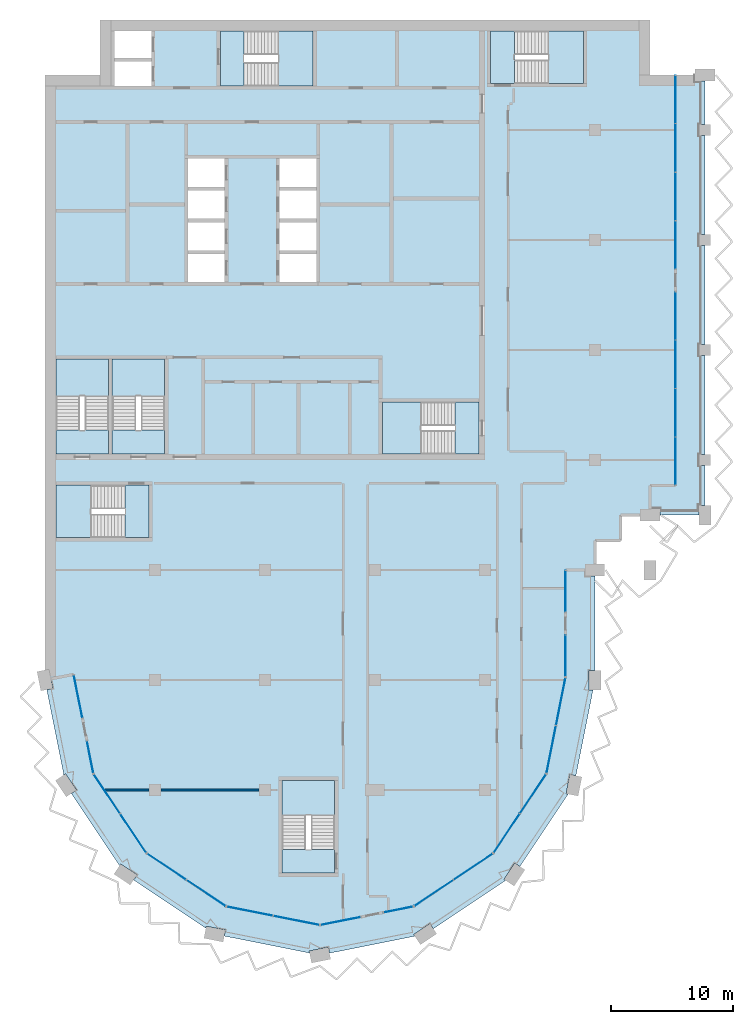
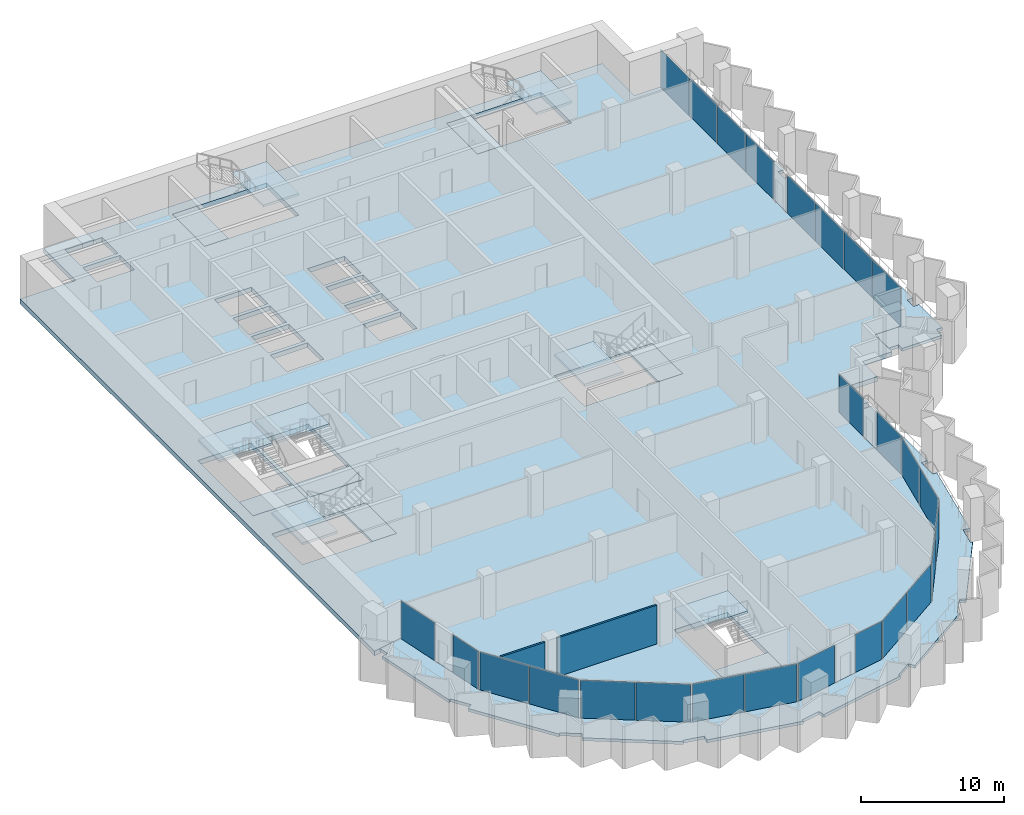
# One storey, part 5 of 15: 26 plates, 17 slabs, 2 walls, 21 elements without a shape of their own.
"""IFC4 building model written with IfcOpenShell, lengths in metres."""

from ifc_helpers import new_model, si_unit, direction, frame, frame_2d, origin, origin_2d, place, context, subcontext, project, spatial, polyline, rectangle, outline, extrude, material, layer, layer_set, type_object, element, aggregate, save


model = new_model("IFC4")

# Units and contexts
model_context = context("Model", 3, precision=1e-05, world=origin(), true_north=direction((0.0, 1.0)))
body_context = subcontext(model_context, "Body", "Model", "MODEL_VIEW")
ifc_project = project(units=[si_unit("LENGTHUNIT", "METRE"), si_unit("AREAUNIT", "SQUARE_METRE"), si_unit("VOLUMEUNIT", "CUBIC_METRE"), si_unit("PLANEANGLEUNIT", "RADIAN"), si_unit("MASSUNIT", "GRAM", prefix="KILO")], contexts=[model_context])

# Site, building, storey
site_placement = place(None, origin())
site = spatial("IfcSite", under=ifc_project, at=site_placement, CompositionType="ELEMENT")
building_placement = place(site_placement, origin())
building = spatial("IfcBuilding", under=site, at=building_placement, Name="Hunhe Ridgeline Campus", CompositionType="ELEMENT")
storey_placement = place(building_placement, frame((0.0, 0.0, 231.800048828125)))
storey = spatial("IfcBuildingStorey", under=building, at=storey_placement, Name="L59", CompositionType="ELEMENT", Elevation=231.800048828125)

# Curtain wall, plate
ifc_material_1 = material(Name="Aluminium 6063", Category="aluminium")
curtain_wall_type_1 = type_object("IfcCurtainWallType", Name="Curtain wall CW-5", PredefinedType="NOTDEFINED", material=ifc_material_1)
curtain_wall_1_placement = place(storey_placement, origin())
curtain_wall_1 = element("IfcCurtainWall", 1, at=curtain_wall_1_placement, inside=storey, type_object=curtain_wall_type_1, Name="Curtain wall 01", PredefinedType="NOTDEFINED")
ifc_material_2 = material(Name="Low-e laminated glass", Category="glass")
ifc_layer_1 = layer(ifc_material_2, 0.028076171875)
ifc_layer_set_1 = layer_set([ifc_layer_1], Name="Curtain wall glass panel 28 low-e laminated")
plate_type = type_object("IfcPlateType", Name="Curtain wall glass panel 28 low-e laminated", PredefinedType="CURTAIN_PANEL", material=ifc_layer_set_1)
plate_1_placement = place(storey_placement, frame((2.7158203125, 43.65380859375, 0.0), z_axis=(0.0, 0.0, 1.0), x_axis=(0.195095326561, -0.980784284924, 0.0)))
plate_1 = element("IfcPlate", 2, at=plate_1_placement, type_object=plate_type, Name="CW-5 panel 1", PredefinedType="CURTAIN_PANEL", context=body_context, shape_type="SweptSolid", body=[
    extrude(rectangle(XDim=3.560791015625, YDim=0.028076171875, at=origin_2d()), origin(), (0.0, 0.0, 1.0), 3.22998046875),
])
aggregate(curtain_wall_1, [plate_1])

curtain_wall_2_placement = place(storey_placement, origin())
curtain_wall_2 = element("IfcCurtainWall", 3, at=curtain_wall_2_placement, inside=storey, type_object=curtain_wall_type_1, Name="Curtain wall 02", PredefinedType="NOTDEFINED")
plate_2_placement = place(storey_placement, frame((3.701171875, 38.699951171875, 0.0), z_axis=(0.0, 0.0, 1.0), x_axis=(0.195095265587, -0.980784297053, 0.0)))
plate_2 = element("IfcPlate", 4, at=plate_2_placement, type_object=plate_type, Name="CW-5 panel 1", PredefinedType="CURTAIN_PANEL", context=body_context, shape_type="SweptSolid", body=[
    extrude(rectangle(XDim=2.660888671875, YDim=0.028076171875, at=origin_2d()), origin(), (0.0, 0.0, 1.0), 3.22998046875),
])
aggregate(curtain_wall_2, [plate_2])

# Curtain wall, plates
curtain_wall_3_placement = place(storey_placement, origin())
curtain_wall_3 = element("IfcCurtainWall", 5, at=curtain_wall_3_placement, inside=storey, type_object=curtain_wall_type_1, Name="Curtain wall 03", PredefinedType="NOTDEFINED")
plate_3_placement = place(storey_placement, frame((5.07080078125, 35.685546875, 0.0), z_axis=(0.0, 0.0, 1.0), x_axis=(0.555570274596, -0.831469584522, 0.0)))
plate_3 = element("IfcPlate", 6, at=plate_3_placement, type_object=plate_type, Name="CW-5 panel 1", PredefinedType="CURTAIN_PANEL", context=body_context, shape_type="SweptSolid", body=[
    extrude(rectangle(XDim=3.806884765625, YDim=0.028076171875, at=origin_2d()), origin(), (0.0, 0.0, 1.0), 3.22998046875),
])
plate_4_placement = place(storey_placement, frame((7.224609375, 32.4619140625, 0.0), z_axis=(0.0, 0.0, 1.0), x_axis=(0.555570274596, -0.831469584522, 0.0)))
plate_4 = element("IfcPlate", 7, at=plate_4_placement, type_object=plate_type, Name="CW-5 panel 2", PredefinedType="CURTAIN_PANEL", context=body_context, shape_type="SweptSolid", body=[
    extrude(rectangle(XDim=3.806884765625, YDim=0.028076171875, at=origin_2d()), origin(), (0.0, 0.0, 1.0), 3.22998046875),
])
aggregate(curtain_wall_3, [plate_3, plate_4])

curtain_wall_4_placement = place(storey_placement, origin())
curtain_wall_4 = element("IfcCurtainWall", 8, at=curtain_wall_4_placement, inside=storey, type_object=curtain_wall_type_1, Name="Curtain wall 04", PredefinedType="NOTDEFINED")
plate_5_placement = place(storey_placement, frame((9.9619140625, 29.724609375, 0.0), z_axis=(0.0, 0.0, 1.0), x_axis=(0.831469584522, -0.555570274596, 0.0)))
plate_5 = element("IfcPlate", 9, at=plate_5_placement, type_object=plate_type, Name="CW-5 panel 1", PredefinedType="CURTAIN_PANEL", context=body_context, shape_type="SweptSolid", body=[
    extrude(rectangle(XDim=3.806884765625, YDim=0.028076171875, at=origin_2d()), origin(), (0.0, 0.0, 1.0), 3.22998046875),
])
plate_6_placement = place(storey_placement, frame((13.185546875, 27.57080078125, 0.0), z_axis=(0.0, 0.0, 1.0), x_axis=(0.831469584522, -0.555570274596, 0.0)))
plate_6 = element("IfcPlate", 10, at=plate_6_placement, type_object=plate_type, Name="CW-5 panel 2", PredefinedType="CURTAIN_PANEL", context=body_context, shape_type="SweptSolid", body=[
    extrude(rectangle(XDim=3.806884765625, YDim=0.028076171875, at=origin_2d()), origin(), (0.0, 0.0, 1.0), 3.22998046875),
])
aggregate(curtain_wall_4, [plate_5, plate_6])

curtain_wall_5_placement = place(storey_placement, origin())
curtain_wall_5 = element("IfcCurtainWall", 11, at=curtain_wall_5_placement, inside=storey, type_object=curtain_wall_type_1, Name="Curtain wall 05", PredefinedType="NOTDEFINED")
plate_7_placement = place(storey_placement, frame((16.761962890625, 26.08935546875, 0.0), z_axis=(0.0, 0.0, 1.0), x_axis=(0.980785275326, -0.195090347539, 0.0)))
plate_7 = element("IfcPlate", 12, at=plate_7_placement, type_object=plate_type, Name="CW-5 panel 1", PredefinedType="CURTAIN_PANEL", context=body_context, shape_type="SweptSolid", body=[
    extrude(rectangle(XDim=3.806884765625, YDim=0.028076171875, at=origin_2d()), origin(), (0.0, 0.0, 1.0), 3.22998046875),
])
plate_8_placement = place(storey_placement, frame((20.564453125, 25.3330078125, 0.0), z_axis=(0.0, 0.0, 1.0), x_axis=(0.980785275326, -0.195090347539, 0.0)))
plate_8 = element("IfcPlate", 13, at=plate_8_placement, type_object=plate_type, Name="CW-5 panel 2", PredefinedType="CURTAIN_PANEL", context=body_context, shape_type="SweptSolid", body=[
    extrude(rectangle(XDim=3.806884765625, YDim=0.028076171875, at=origin_2d()), origin(), (0.0, 0.0, 1.0), 3.22998046875),
])
aggregate(curtain_wall_5, [plate_7, plate_8])

# Curtain wall, plate
curtain_wall_6_placement = place(storey_placement, origin())
curtain_wall_6 = element("IfcCurtainWall", 14, at=curtain_wall_6_placement, inside=storey, type_object=curtain_wall_type_1, Name="Curtain wall 06", PredefinedType="NOTDEFINED")
plate_9_placement = place(storey_placement, frame((24.19775390625, 25.28564453125, 0.0), z_axis=(0.0, 0.0, 1.0), x_axis=(0.980785270791, 0.19509037034, 0.0)))
plate_9 = element("IfcPlate", 15, at=plate_9_placement, type_object=plate_type, Name="CW-5 panel 1", PredefinedType="CURTAIN_PANEL", context=body_context, shape_type="SweptSolid", body=[
    extrude(rectangle(XDim=3.322021484375, YDim=0.028076171875, at=origin_2d()), origin(), (0.0, 0.0, 1.0), 3.22998046875),
])
aggregate(curtain_wall_6, [plate_9])

curtain_wall_7_placement = place(storey_placement, origin())
curtain_wall_7 = element("IfcCurtainWall", 16, at=curtain_wall_7_placement, inside=storey, type_object=curtain_wall_type_1, Name="Curtain wall 07", PredefinedType="NOTDEFINED")
plate_10_placement = place(storey_placement, frame((28.917236328125, 26.224609375, 0.0), z_axis=(0.0, 0.0, 1.0), x_axis=(0.980785242091, 0.195090514627, 0.0)))
plate_10 = element("IfcPlate", 17, at=plate_10_placement, type_object=plate_type, Name="CW-5 panel 1", PredefinedType="CURTAIN_PANEL", context=body_context, shape_type="SweptSolid", body=[
    extrude(rectangle(XDim=2.421875, YDim=0.028076171875, at=origin_2d()), origin(), (0.0, 0.0, 1.0), 3.22998046875),
])
aggregate(curtain_wall_7, [plate_10])

# Curtain wall, plates
curtain_wall_8_placement = place(storey_placement, origin())
curtain_wall_8 = element("IfcCurtainWall", 18, at=curtain_wall_8_placement, inside=storey, type_object=curtain_wall_type_1, Name="Curtain wall 08", PredefinedType="NOTDEFINED")
plate_11_placement = place(storey_placement, frame((31.814453125, 27.57080078125, 0.0), z_axis=(0.0, 0.0, 1.0), x_axis=(0.831469584522, 0.555570274596, 0.0)))
plate_11 = element("IfcPlate", 19, at=plate_11_placement, type_object=plate_type, Name="CW-5 panel 1", PredefinedType="CURTAIN_PANEL", context=body_context, shape_type="SweptSolid", body=[
    extrude(rectangle(XDim=3.806884765625, YDim=0.028076171875, at=origin_2d()), origin(), (0.0, 0.0, 1.0), 3.22998046875),
])
plate_12_placement = place(storey_placement, frame((35.0380859375, 29.724609375, 0.0), z_axis=(0.0, 0.0, 1.0), x_axis=(0.831469584522, 0.555570274596, 0.0)))
plate_12 = element("IfcPlate", 20, at=plate_12_placement, type_object=plate_type, Name="CW-5 panel 2", PredefinedType="CURTAIN_PANEL", context=body_context, shape_type="SweptSolid", body=[
    extrude(rectangle(XDim=3.806884765625, YDim=0.028076171875, at=origin_2d()), origin(), (0.0, 0.0, 1.0), 3.22998046875),
])
aggregate(curtain_wall_8, [plate_11, plate_12])

curtain_wall_9_placement = place(storey_placement, origin())
curtain_wall_9 = element("IfcCurtainWall", 21, at=curtain_wall_9_placement, inside=storey, type_object=curtain_wall_type_1, Name="Curtain wall 09", PredefinedType="NOTDEFINED")
plate_13_placement = place(storey_placement, frame((37.775390625, 32.4619140625, 0.0), z_axis=(0.0, 0.0, 1.0), x_axis=(0.555570274596, 0.831469584522, 0.0)))
plate_13 = element("IfcPlate", 22, at=plate_13_placement, type_object=plate_type, Name="CW-5 panel 1", PredefinedType="CURTAIN_PANEL", context=body_context, shape_type="SweptSolid", body=[
    extrude(rectangle(XDim=3.806884765625, YDim=0.028076171875, at=origin_2d()), origin(), (0.0, 0.0, 1.0), 3.22998046875),
])
plate_14_placement = place(storey_placement, frame((39.92919921875, 35.685546875, 0.0), z_axis=(0.0, 0.0, 1.0), x_axis=(0.555570274596, 0.831469584522, 0.0)))
plate_14 = element("IfcPlate", 23, at=plate_14_placement, type_object=plate_type, Name="CW-5 panel 2", PredefinedType="CURTAIN_PANEL", context=body_context, shape_type="SweptSolid", body=[
    extrude(rectangle(XDim=3.806884765625, YDim=0.028076171875, at=origin_2d()), origin(), (0.0, 0.0, 1.0), 3.22998046875),
])
aggregate(curtain_wall_9, [plate_13, plate_14])

curtain_wall_10_placement = place(storey_placement, origin())
curtain_wall_10 = element("IfcCurtainWall", 24, at=curtain_wall_10_placement, inside=storey, type_object=curtain_wall_type_1, Name="Curtain wall 10", PredefinedType="NOTDEFINED")
plate_15_placement = place(storey_placement, frame((41.42236328125, 39.321044921875, 0.0), z_axis=(0.0, 0.0, 1.0), x_axis=(0.195090299215, 0.980785284939, 0.0)))
plate_15 = element("IfcPlate", 25, at=plate_15_placement, type_object=plate_type, Name="CW-5 panel 1", PredefinedType="CURTAIN_PANEL", context=body_context, shape_type="SweptSolid", body=[
    extrude(rectangle(XDim=3.927490234375, YDim=0.028076171875, at=origin_2d()), origin(), (0.0, 0.0, 1.0), 3.22998046875),
])
plate_16_placement = place(storey_placement, frame((42.2021484375, 43.24169921875, 0.0), z_axis=(0.0, 0.0, 1.0), x_axis=(0.195090299215, 0.980785284939, 0.0)))
plate_16 = element("IfcPlate", 26, at=plate_16_placement, type_object=plate_type, Name="CW-5 panel 2", PredefinedType="CURTAIN_PANEL", context=body_context, shape_type="SweptSolid", body=[
    extrude(rectangle(XDim=3.927490234375, YDim=0.028076171875, at=origin_2d()), origin(), (0.0, 0.0, 1.0), 3.22998046875),
])
aggregate(curtain_wall_10, [plate_15, plate_16])

# Curtain wall, plate
curtain_wall_type_2 = type_object("IfcCurtainWallType", Name="Curtain wall CW-1", PredefinedType="NOTDEFINED", material=ifc_material_1)
curtain_wall_11_placement = place(storey_placement, origin())
curtain_wall_11 = element("IfcCurtainWall", 27, at=curtain_wall_11_placement, inside=storey, type_object=curtain_wall_type_2, Name="Curtain wall 11", PredefinedType="NOTDEFINED")
plate_17_placement = place(storey_placement, frame((42.59912109375, 46.9775390625, 0.0), z_axis=(0.0, 0.0, 1.0), x_axis=(1.9241592e-05, 0.999999999815, 0.0)))
plate_17 = element("IfcPlate", 28, at=plate_17_placement, type_object=plate_type, Name="CW-1 panel 1", PredefinedType="CURTAIN_PANEL", context=body_context, shape_type="SweptSolid", body=[
    extrude(rectangle(XDim=3.362060546875, YDim=0.028076171875, at=origin_2d()), origin(), (0.0, 0.0, 1.0), 3.239990234375),
])
aggregate(curtain_wall_11, [plate_17])

curtain_wall_12_placement = place(storey_placement, origin())
curtain_wall_12 = element("IfcCurtainWall", 29, at=curtain_wall_12_placement, inside=storey, type_object=curtain_wall_type_2, Name="Curtain wall 12", PredefinedType="NOTDEFINED")
plate_18_placement = place(storey_placement, frame((42.59912109375, 52.259521484375, 0.0), z_axis=(0.0, 0.0, 1.0), x_axis=(1.9241592e-05, 0.999999999815, 0.0)))
plate_18 = element("IfcPlate", 30, at=plate_18_placement, type_object=plate_type, Name="CW-1 panel 1", PredefinedType="CURTAIN_PANEL", context=body_context, shape_type="SweptSolid", body=[
    extrude(rectangle(XDim=3.362060546875, YDim=0.028076171875, at=origin_2d()), origin(), (0.0, 0.0, 1.0), 3.239990234375),
])
aggregate(curtain_wall_12, [plate_18])

# Curtain wall, plates
curtain_wall_13_placement = place(storey_placement, origin())
curtain_wall_13 = element("IfcCurtainWall", 31, at=curtain_wall_13_placement, inside=storey, type_object=curtain_wall_type_2, Name="Curtain wall 13", PredefinedType="NOTDEFINED")
plate_19_placement = place(storey_placement, frame((51.59912109375, 62.9033203125, 0.0), z_axis=(0.0, 0.0, 1.0), x_axis=(0.0, 1.0, 0.0)))
plate_19 = element("IfcPlate", 32, at=plate_19_placement, type_object=plate_type, Name="CW-1 panel 1", PredefinedType="CURTAIN_PANEL", context=body_context, shape_type="SweptSolid", body=[
    extrude(rectangle(XDim=3.884765625, YDim=0.028076171875, at=origin_2d()), origin(), (0.0, 0.0, 1.0), 3.239990234375),
])
plate_20_placement = place(storey_placement, frame((51.59912109375, 66.86328125, 0.0), z_axis=(0.0, 0.0, 1.0), x_axis=(0.0, 1.0, 0.0)))
plate_20 = element("IfcPlate", 33, at=plate_20_placement, type_object=plate_type, Name="CW-1 panel 2", PredefinedType="CURTAIN_PANEL", context=body_context, shape_type="SweptSolid", body=[
    extrude(rectangle(XDim=3.914794921875, YDim=0.028076171875, at=origin_2d()), origin(), (0.0, 0.0, 1.0), 3.239990234375),
])
plate_21_placement = place(storey_placement, frame((51.59912109375, 70.838134765625, 0.0), z_axis=(0.0, 0.0, 1.0), x_axis=(0.0, 1.0, 0.0)))
plate_21 = element("IfcPlate", 34, at=plate_21_placement, type_object=plate_type, Name="CW-1 panel 3", PredefinedType="CURTAIN_PANEL", context=body_context, shape_type="SweptSolid", body=[
    extrude(rectangle(XDim=3.914794921875, YDim=0.028076171875, at=origin_2d()), origin(), (0.0, 0.0, 1.0), 3.239990234375),
])
plate_22_placement = place(storey_placement, frame((51.59912109375, 74.798095703125, 0.0), z_axis=(0.0, 0.0, 1.0), x_axis=(0.0, 1.0, 0.0)))
plate_22 = element("IfcPlate", 35, at=plate_22_placement, type_object=plate_type, Name="CW-1 panel 4", PredefinedType="CURTAIN_PANEL", context=body_context, shape_type="SweptSolid", body=[
    extrude(rectangle(XDim=3.884765625, YDim=0.028076171875, at=origin_2d()), origin(), (0.0, 0.0, 1.0), 3.239990234375),
])
aggregate(curtain_wall_13, [plate_19, plate_20, plate_21, plate_22])

curtain_wall_14_placement = place(storey_placement, origin())
curtain_wall_14 = element("IfcCurtainWall", 36, at=curtain_wall_14_placement, inside=storey, type_object=curtain_wall_type_2, Name="Curtain wall 14", PredefinedType="NOTDEFINED")
plate_23_placement = place(storey_placement, frame((51.59912109375, 80.60302734375, 0.0), z_axis=(0.0, 0.0, 1.0), x_axis=(0.0, 1.0, 0.0)))
plate_23 = element("IfcPlate", 37, at=plate_23_placement, type_object=plate_type, Name="CW-1 panel 1", PredefinedType="CURTAIN_PANEL", context=body_context, shape_type="SweptSolid", body=[
    extrude(rectangle(XDim=3.884765625, YDim=0.028076171875, at=origin_2d()), origin(), (0.0, 0.0, 1.0), 3.239990234375),
])
plate_24_placement = place(storey_placement, frame((51.59912109375, 84.562744140625, 0.0), z_axis=(0.0, 0.0, 1.0), x_axis=(0.0, 1.0, 0.0)))
plate_24 = element("IfcPlate", 38, at=plate_24_placement, type_object=plate_type, Name="CW-1 panel 2", PredefinedType="CURTAIN_PANEL", context=body_context, shape_type="SweptSolid", body=[
    extrude(rectangle(XDim=3.914794921875, YDim=0.028076171875, at=origin_2d()), origin(), (0.0, 0.0, 1.0), 3.239990234375),
])
plate_25_placement = place(storey_placement, frame((51.59912109375, 88.53759765625, 0.0), z_axis=(0.0, 0.0, 1.0), x_axis=(0.0, 1.0, 0.0)))
plate_25 = element("IfcPlate", 39, at=plate_25_placement, type_object=plate_type, Name="CW-1 panel 3", PredefinedType="CURTAIN_PANEL", context=body_context, shape_type="SweptSolid", body=[
    extrude(rectangle(XDim=3.914794921875, YDim=0.028076171875, at=origin_2d()), origin(), (0.0, 0.0, 1.0), 3.239990234375),
])
plate_26_placement = place(storey_placement, frame((51.59912109375, 92.49755859375, 0.0), z_axis=(0.0, 0.0, 1.0), x_axis=(0.0, 1.0, 0.0)))
plate_26 = element("IfcPlate", 40, at=plate_26_placement, type_object=plate_type, Name="CW-1 panel 4", PredefinedType="CURTAIN_PANEL", context=body_context, shape_type="SweptSolid", body=[
    extrude(rectangle(XDim=3.884765625, YDim=0.028076171875, at=origin_2d()), origin(), (0.0, 0.0, 1.0), 3.239990234375),
])
aggregate(curtain_wall_14, [plate_23, plate_24, plate_25, plate_26])

# Slabs
ifc_material_3 = material(Name="Concrete C40", Category="concrete")
ifc_layer_2 = layer(ifc_material_3, 0.39990234375)
ifc_layer_set_2 = layer_set([ifc_layer_2], Name="Floor slab 400 Concrete C40")
slab_type_1 = type_object("IfcSlabType", Name="Floor slab 400 Concrete C40", PredefinedType="FLOOR", material=ifc_layer_set_2)
slab_1_placement = place(storey_placement, frame((0.0, 0.0, -0.400146484375)))
element("IfcSlab", 41, at=slab_1_placement, inside=storey, type_object=slab_type_1, Name="Floor slab L59 1", PredefinedType="FLOOR", context=body_context, shape_type="SweptSolid", body=[
    extrude(outline(polyline([(36.678955078125, 30.821044921875), (41.025634765625, 37.326416015625), (42.59912109375, 45.236572265625), (42.59912109375, 54.00048828125), (44.9990234375, 54.0009765625), (44.999267578125, 56.400634765625), (47.09912109375, 56.40087890625), (47.099609375, 58.5009765625), (49.4990234375, 58.5009765625), (49.49951171875, 60.90087890625), (51.59912109375, 60.90087890625), (51.59912109375, 94.5), (49.5, 94.5), (49.5, 99.0), (4.5, 99.0), (4.5, 94.5), (0.0, 94.5), (0.0, 45.0009765625), (2.354736328125, 45.46875), (3.974365234375, 37.326416015625), (8.321044921875, 30.821044921875), (14.826416015625, 26.474365234375), (22.5, 24.947998046875), (30.173583984375, 26.474365234375), (36.678955078125, 30.821044921875)]), holes=[polyline([(36.449951171875, 98.10009765625), (36.449951171875, 93.800048828125), (44.050048828125, 93.800048828125), (44.050048828125, 98.10009765625), (36.449951171875, 98.10009765625)]), polyline([(27.60009765625, 63.5), (35.5, 63.5), (35.5, 67.75), (27.60009765625, 67.75), (27.60009765625, 63.5)]), polyline([(19.39990234375, 36.800048828125), (19.39990234375, 29.199951171875), (23.699951171875, 29.199951171875), (23.699951171875, 36.800048828125), (19.39990234375, 36.800048828125)]), polyline([(22.199951171875, 87.64990234375), (19.199951171875, 87.64990234375), (19.199951171875, 85.35009765625), (22.199951171875, 85.35009765625), (22.199951171875, 87.64990234375)]), polyline([(22.199951171875, 77.550048828125), (22.199951171875, 79.85009765625), (19.199951171875, 79.85009765625), (19.199951171875, 77.550048828125), (22.199951171875, 77.550048828125)]), polyline([(19.199951171875, 85.050048828125), (19.199951171875, 82.75), (22.199951171875, 82.75), (22.199951171875, 85.050048828125), (19.199951171875, 85.050048828125)]), polyline([(19.199951171875, 80.14990234375), (22.199951171875, 80.14990234375), (22.199951171875, 82.449951171875), (19.199951171875, 82.449951171875), (19.199951171875, 80.14990234375)]), polyline([(14.35009765625, 98.10009765625), (14.35009765625, 93.60009765625), (21.949951171875, 93.60009765625), (21.949951171875, 98.10009765625), (14.35009765625, 98.10009765625)]), polyline([(14.699951171875, 87.64990234375), (11.699951171875, 87.64990234375), (11.699951171875, 85.35009765625), (14.699951171875, 85.35009765625), (14.699951171875, 87.64990234375)]), polyline([(14.699951171875, 77.550048828125), (14.699951171875, 79.85009765625), (11.699951171875, 79.85009765625), (11.699951171875, 77.550048828125), (14.699951171875, 77.550048828125)]), polyline([(11.699951171875, 85.050048828125), (11.699951171875, 82.75), (14.699951171875, 82.75), (14.699951171875, 85.050048828125), (11.699951171875, 85.050048828125)]), polyline([(11.699951171875, 80.14990234375), (14.699951171875, 80.14990234375), (14.699951171875, 82.449951171875), (11.699951171875, 82.449951171875), (11.699951171875, 80.14990234375)]), polyline([(9.800048828125, 63.5), (9.800048828125, 71.25), (5.5, 71.25), (5.5, 63.5), (9.800048828125, 63.5)]), polyline([(8.699951171875, 93.60009765625), (8.699951171875, 95.60009765625), (5.699951171875, 95.60009765625), (5.699951171875, 93.60009765625), (8.699951171875, 93.60009765625)]), polyline([(5.699951171875, 95.89990234375), (8.699951171875, 95.89990234375), (8.699951171875, 98.10009765625), (5.699951171875, 98.10009765625), (5.699951171875, 95.89990234375)]), polyline([(0.89990234375, 60.949951171875), (0.89990234375, 56.64990234375), (8.5, 56.64990234375), (8.5, 60.949951171875), (0.89990234375, 60.949951171875)]), polyline([(5.199951171875, 71.25), (0.89990234375, 71.25), (0.89990234375, 63.5), (5.199951171875, 63.5), (5.199951171875, 71.25)])]), origin(), (0.0, 0.0, 1.0), 0.400146484375),
])
ifc_layer_3 = layer(ifc_material_3, 0.25)
ifc_layer_set_3 = layer_set([ifc_layer_3], Name="Loggia slab 250 Concrete C40")
slab_type_2 = type_object("IfcSlabType", Name="Loggia slab 250 Concrete C40", PredefinedType="FLOOR", material=ifc_layer_set_3)
slab_2_placement = place(storey_placement, frame((0.0, 0.0, -0.25)))
element("IfcSlab", 42, at=slab_2_placement, inside=storey, type_object=slab_type_2, Name="Loggia slab 1", PredefinedType="FLOOR", context=body_context, shape_type="SweptSolid", body=[
    extrude(outline(polyline([(30.173828125, 26.473388671875), (22.5, 24.947021484375), (14.826171875, 26.473388671875), (8.3203125, 30.8203125), (3.973388671875, 37.326171875), (2.35400390625, 45.46826171875), (0.490478515625, 45.09765625), (0.646484375, 44.31298828125), (0.156005859375, 44.21533203125), (1.543701171875, 37.239013671875), (1.68408203125, 37.33251953125), (2.572998046875, 36.002197265625), (2.1572265625, 35.724365234375), (6.109130859375, 29.81005859375), (6.20263671875, 29.9501953125), (7.532958984375, 29.061279296875), (7.25537109375, 28.645751953125), (13.169677734375, 24.69384765625), (13.20263671875, 24.859130859375), (14.771728515625, 24.547119140625), (14.67431640625, 24.056640625), (21.650634765625, 22.6689453125), (21.617919921875, 22.834228515625), (23.18701171875, 23.146484375), (23.28466796875, 22.656005859375), (30.260986328125, 24.043701171875), (30.16748046875, 24.18408203125), (31.497802734375, 25.072998046875), (31.775634765625, 24.6572265625), (37.68994140625, 28.609130859375), (37.5498046875, 28.70263671875), (38.438720703125, 30.032958984375), (38.854248046875, 29.75537109375), (42.80615234375, 35.669677734375), (42.640869140625, 35.70263671875), (42.952880859375, 37.271728515625), (43.443359375, 37.17431640625), (44.8408203125, 44.199951171875), (44.5, 44.199951171875), (44.5, 45.800048828125), (45.0, 45.800048828125), (45.0, 53.5), (44.199951171875, 53.5), (44.199951171875, 54.0), (42.60009765625, 54.0), (42.60009765625, 45.236328125), (41.026611328125, 37.326171875), (36.6796875, 30.8203125), (30.173828125, 26.473388671875)])), origin(), (0.0, 0.0, 1.0), 0.25),
])
slab_3_placement = place(storey_placement, frame((0.0, 0.0, -0.25)))
element("IfcSlab", 43, at=slab_3_placement, inside=storey, type_object=slab_type_2, Name="Loggia slab 2", PredefinedType="FLOOR", context=body_context, shape_type="SweptSolid", body=[
    extrude(outline(polyline([(49.5, 59.0), (50.300048828125, 59.0), (50.300048828125, 58.5), (53.5, 58.5), (53.5, 59.300048828125), (54.0, 59.300048828125), (54.0, 62.550048828125), (53.550048828125, 62.550048828125), (53.550048828125, 63.449951171875), (54.0, 63.449951171875), (54.0, 71.550048828125), (53.550048828125, 71.550048828125), (53.550048828125, 72.449951171875), (54.0, 72.449951171875), (54.0, 80.550048828125), (53.550048828125, 80.550048828125), (53.550048828125, 81.449951171875), (54.0, 81.449951171875), (54.0, 89.550048828125), (53.550048828125, 89.550048828125), (53.550048828125, 90.449951171875), (54.0, 90.449951171875), (54.0, 94.0), (53.199951171875, 94.0), (53.199951171875, 94.5), (51.60009765625, 94.5), (51.60009765625, 60.89990234375), (49.5, 60.89990234375), (49.5, 59.0)])), origin(), (0.0, 0.0, 1.0), 0.25),
])

# Stair, slab
stair_type = type_object("IfcStairType", Name="Reinforced concrete dog-leg stair 1950 Concrete C40", PredefinedType="HALF_TURN_STAIR", material=ifc_material_3)
stair_1_placement = place(storey_placement, origin())
stair_1 = element("IfcStair", 44, at=stair_1_placement, inside=storey, type_object=stair_type, Name="L59 S1", PredefinedType="HALF_TURN_STAIR")
ifc_layer_4 = layer(ifc_material_3, 0.199951171875)
ifc_layer_set_4 = layer_set([ifc_layer_4], Name="Reinforced concrete stair landing 200 Concrete C40")
slab_type_3 = type_object("IfcSlabType", Name="Reinforced concrete stair landing 200 Concrete C40", PredefinedType="LANDING", material=ifc_layer_set_4)
slab_4_placement = place(storey_placement, frame((0.0, 0.0, 1.64990234375)))
slab_4 = element("IfcSlab", 45, at=slab_4_placement, type_object=slab_type_3, Name="ST1 landing 1", PredefinedType="LANDING", context=body_context, shape_type="SweptSolid", body=[
    extrude(outline(polyline([(19.10009765625, 93.60009765625), (21.949951171875, 93.60009765625), (21.949951171875, 98.10009765625), (19.10009765625, 98.10009765625), (19.10009765625, 93.60009765625)])), origin(), (0.0, 0.0, 1.0), 0.199951171875),
])
aggregate(stair_1, [slab_4])

# Slab
slab_5_placement = place(storey_placement, frame((0.0, 0.0, -0.199951171875)))
element("IfcSlab", 46, at=slab_5_placement, inside=storey, type_object=slab_type_3, Name="L59 stair S1 floor landing", PredefinedType="LANDING", context=body_context, shape_type="SweptSolid", body=[
    extrude(outline(polyline([(14.35009765625, 93.60009765625), (16.300048828125, 93.60009765625), (16.300048828125, 98.10009765625), (14.35009765625, 98.10009765625), (14.35009765625, 93.60009765625)])), origin(), (0.0, 0.0, 1.0), 0.199951171875),
])

# Stair, slab
stair_2_placement = place(storey_placement, origin())
stair_2 = element("IfcStair", 47, at=stair_2_placement, inside=storey, type_object=stair_type, Name="L59 S2", PredefinedType="HALF_TURN_STAIR")
slab_6_placement = place(storey_placement, frame((0.0, 0.0, 1.64990234375)))
slab_6 = element("IfcSlab", 48, at=slab_6_placement, type_object=slab_type_3, Name="ST2 landing 1", PredefinedType="LANDING", context=body_context, shape_type="SweptSolid", body=[
    extrude(outline(polyline([(30.75, 67.75), (27.60009765625, 67.75), (27.60009765625, 63.5), (30.75, 63.5), (30.75, 67.75)])), origin(), (0.0, 0.0, 1.0), 0.199951171875),
])
aggregate(stair_2, [slab_6])

# Slab
slab_7_placement = place(storey_placement, frame((0.0, 0.0, -0.199951171875)))
element("IfcSlab", 49, at=slab_7_placement, inside=storey, type_object=slab_type_3, Name="L59 stair S2 floor landing", PredefinedType="LANDING", context=body_context, shape_type="SweptSolid", body=[
    extrude(outline(polyline([(35.5, 67.75), (33.550048828125, 67.75), (33.550048828125, 63.5), (35.5, 63.5), (35.5, 67.75)])), origin(), (0.0, 0.0, 1.0), 0.199951171875),
])

# Stair, slab
stair_3_placement = place(storey_placement, origin())
stair_3 = element("IfcStair", 50, at=stair_3_placement, inside=storey, type_object=stair_type, Name="L59 S3", PredefinedType="HALF_TURN_STAIR")
slab_8_placement = place(storey_placement, frame((0.0, 0.0, 1.64990234375)))
slab_8 = element("IfcSlab", 51, at=slab_8_placement, type_object=slab_type_3, Name="ST3 landing 1", PredefinedType="LANDING", context=body_context, shape_type="SweptSolid", body=[
    extrude(outline(polyline([(5.199951171875, 68.25), (5.199951171875, 71.25), (0.89990234375, 71.25), (0.89990234375, 68.25), (5.199951171875, 68.25)])), origin(), (0.0, 0.0, 1.0), 0.199951171875),
])
aggregate(stair_3, [slab_8])

# Slab
slab_9_placement = place(storey_placement, frame((0.0, 0.0, -0.199951171875)))
element("IfcSlab", 52, at=slab_9_placement, inside=storey, type_object=slab_type_3, Name="L59 stair S3 floor landing", PredefinedType="LANDING", context=body_context, shape_type="SweptSolid", body=[
    extrude(outline(polyline([(5.199951171875, 63.5), (5.199951171875, 65.449951171875), (0.89990234375, 65.449951171875), (0.89990234375, 63.5), (5.199951171875, 63.5)])), origin(), (0.0, 0.0, 1.0), 0.199951171875),
])

# Stair, slab
stair_4_placement = place(storey_placement, origin())
stair_4 = element("IfcStair", 53, at=stair_4_placement, inside=storey, type_object=stair_type, Name="L59 S4", PredefinedType="HALF_TURN_STAIR")
slab_10_placement = place(storey_placement, frame((0.0, 0.0, 1.64990234375)))
slab_10 = element("IfcSlab", 54, at=slab_10_placement, type_object=slab_type_3, Name="ST4 landing 1", PredefinedType="LANDING", context=body_context, shape_type="SweptSolid", body=[
    extrude(outline(polyline([(9.800048828125, 68.25), (9.800048828125, 71.25), (5.5, 71.25), (5.5, 68.25), (9.800048828125, 68.25)])), origin(), (0.0, 0.0, 1.0), 0.199951171875),
])
aggregate(stair_4, [slab_10])

# Slab
slab_11_placement = place(storey_placement, frame((0.0, 0.0, -0.199951171875)))
element("IfcSlab", 55, at=slab_11_placement, inside=storey, type_object=slab_type_3, Name="L59 stair S4 floor landing", PredefinedType="LANDING", context=body_context, shape_type="SweptSolid", body=[
    extrude(outline(polyline([(9.800048828125, 63.5), (9.800048828125, 65.449951171875), (5.5, 65.449951171875), (5.5, 63.5), (9.800048828125, 63.5)])), origin(), (0.0, 0.0, 1.0), 0.199951171875),
])

# Stair, slab
stair_5_placement = place(storey_placement, origin())
stair_5 = element("IfcStair", 56, at=stair_5_placement, inside=storey, type_object=stair_type, Name="L59 E1", PredefinedType="HALF_TURN_STAIR")
slab_12_placement = place(storey_placement, frame((0.0, 0.0, 1.64990234375)))
slab_12 = element("IfcSlab", 57, at=slab_12_placement, type_object=slab_type_3, Name="ST5 landing 1", PredefinedType="LANDING", context=body_context, shape_type="SweptSolid", body=[
    extrude(outline(polyline([(41.199951171875, 93.800048828125), (44.050048828125, 93.800048828125), (44.050048828125, 98.10009765625), (41.199951171875, 98.10009765625), (41.199951171875, 93.800048828125)])), origin(), (0.0, 0.0, 1.0), 0.199951171875),
])
aggregate(stair_5, [slab_12])

# Slab
slab_13_placement = place(storey_placement, frame((0.0, 0.0, -0.199951171875)))
element("IfcSlab", 58, at=slab_13_placement, inside=storey, type_object=slab_type_3, Name="L59 stair E1 floor landing", PredefinedType="LANDING", context=body_context, shape_type="SweptSolid", body=[
    extrude(outline(polyline([(36.449951171875, 93.800048828125), (38.39990234375, 93.800048828125), (38.39990234375, 98.10009765625), (36.449951171875, 98.10009765625), (36.449951171875, 93.800048828125)])), origin(), (0.0, 0.0, 1.0), 0.199951171875),
])

# Stair, slab
stair_6_placement = place(storey_placement, origin())
stair_6 = element("IfcStair", 59, at=stair_6_placement, inside=storey, type_object=stair_type, Name="L59 W3", PredefinedType="HALF_TURN_STAIR")
slab_14_placement = place(storey_placement, frame((0.0, 0.0, 1.64990234375)))
slab_14 = element("IfcSlab", 60, at=slab_14_placement, type_object=slab_type_3, Name="ST9 landing 1", PredefinedType="LANDING", context=body_context, shape_type="SweptSolid", body=[
    extrude(outline(polyline([(23.699951171875, 33.949951171875), (23.699951171875, 36.800048828125), (19.39990234375, 36.800048828125), (19.39990234375, 33.949951171875), (23.699951171875, 33.949951171875)])), origin(), (0.0, 0.0, 1.0), 0.199951171875),
])
aggregate(stair_6, [slab_14])

# Slab
slab_15_placement = place(storey_placement, frame((0.0, 0.0, -0.199951171875)))
element("IfcSlab", 61, at=slab_15_placement, inside=storey, type_object=slab_type_3, Name="L59 stair W3 floor landing", PredefinedType="LANDING", context=body_context, shape_type="SweptSolid", body=[
    extrude(outline(polyline([(23.699951171875, 29.199951171875), (23.699951171875, 31.14990234375), (19.39990234375, 31.14990234375), (19.39990234375, 29.199951171875), (23.699951171875, 29.199951171875)])), origin(), (0.0, 0.0, 1.0), 0.199951171875),
])

# Stair, slab
stair_7_placement = place(storey_placement, origin())
stair_7 = element("IfcStair", 62, at=stair_7_placement, inside=storey, type_object=stair_type, Name="L59 W2", PredefinedType="HALF_TURN_STAIR")
slab_16_placement = place(storey_placement, frame((0.0, 0.0, 1.64990234375)))
slab_16 = element("IfcSlab", 63, at=slab_16_placement, type_object=slab_type_3, Name="ST12 landing 1", PredefinedType="LANDING", context=body_context, shape_type="SweptSolid", body=[
    extrude(outline(polyline([(3.75, 60.949951171875), (0.89990234375, 60.949951171875), (0.89990234375, 56.64990234375), (3.75, 56.64990234375), (3.75, 60.949951171875)])), origin(), (0.0, 0.0, 1.0), 0.199951171875),
])
aggregate(stair_7, [slab_16])

# Slab
slab_17_placement = place(storey_placement, frame((0.0, 0.0, -0.199951171875)))
element("IfcSlab", 64, at=slab_17_placement, inside=storey, type_object=slab_type_3, Name="L59 stair W2 floor landing", PredefinedType="LANDING", context=body_context, shape_type="SweptSolid", body=[
    extrude(outline(polyline([(8.5, 60.949951171875), (6.550048828125, 60.949951171875), (6.550048828125, 56.64990234375), (8.5, 56.64990234375), (8.5, 60.949951171875)])), origin(), (0.0, 0.0, 1.0), 0.199951171875),
])

# Walls
ifc_material_4 = material(Name="Gypsum board partition")
ifc_layer_5 = layer(ifc_material_4, 0.14990234375)
ifc_layer_set_5 = layer_set([ifc_layer_5], Name="Room partition 150 gypsum board on steel studs")
wall_type = type_object("IfcWallType", Name="Room partition 150 gypsum board on steel studs", PredefinedType="PARTITIONING", material=ifc_layer_set_5)
wall_1_placement = place(storey_placement, frame((4.925537109375, 36.0, 0.0), z_axis=(0.0, 0.0, 1.0), x_axis=(1.0, 0.0, 0.0)))
element("IfcWall", 65, at=wall_1_placement, inside=storey, type_object=wall_type, Name="F-L59-wall-002", PredefinedType="PARTITIONING", context=body_context, shape_type="SweptSolid", body=[
    extrude(rectangle(XDim=3.574462890625, YDim=0.14990234375, at=frame_2d((1.787109375, 0.0))), origin(), (0.0, 0.0, 1.0), 3.300048828125),
])
wall_2_placement = place(storey_placement, frame((9.5, 36.0, 0.0), z_axis=(0.0, 0.0, 1.0), x_axis=(1.0, 0.0, 0.0)))
element("IfcWall", 66, at=wall_2_placement, inside=storey, type_object=wall_type, Name="F-L59-wall-003", PredefinedType="PARTITIONING", context=body_context, shape_type="SweptSolid", body=[
    extrude(rectangle(XDim=8.0, YDim=0.14990234375, at=frame_2d((4.0, 0.0))), origin(), (0.0, 0.0, 1.0), 3.300048828125),
])

save(model, "model.ifc")
